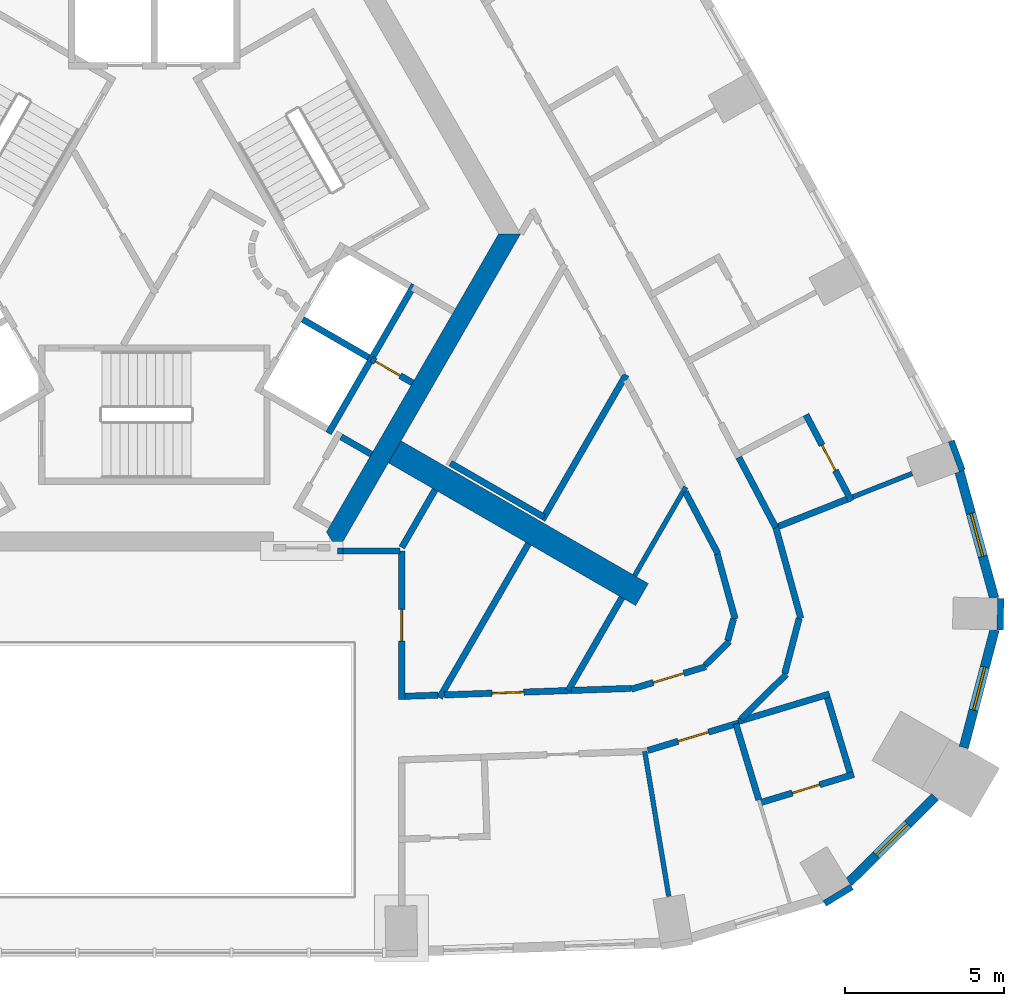
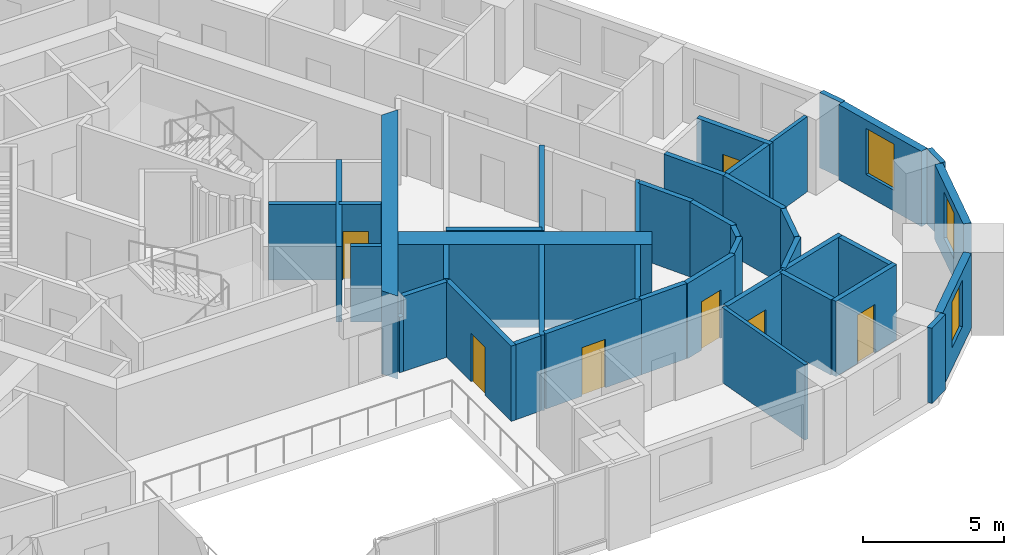
# One storey, part 7 of 12: 42 walls, 7 doors, 3 windows, 10 openings.
"""IFC4 building model written with IfcOpenShell, lengths in metres."""

from ifc_helpers import new_model, si_unit, direction, frame, frame_2d, origin, place, context, subcontext, project, spatial, polyline, rectangle, outline, extrude, material, layer, layer_set, type_object, element, fill, save


model = new_model("IFC4")

# Units and contexts
model_context = context("Model", 3, precision=1e-05, world=origin(), true_north=direction((0.0, 1.0)))
body_context = subcontext(model_context, "Body", "Model", "MODEL_VIEW")
ifc_project = project(units=[si_unit("LENGTHUNIT", "METRE"), si_unit("AREAUNIT", "SQUARE_METRE"), si_unit("VOLUMEUNIT", "CUBIC_METRE"), si_unit("PLANEANGLEUNIT", "RADIAN"), si_unit("MASSUNIT", "GRAM", prefix="KILO")], contexts=[model_context])

# Site, building, storey
site_placement = place(None, origin())
site = spatial("IfcSite", under=ifc_project, at=site_placement, CompositionType="ELEMENT")
building_placement = place(site_placement, origin())
building = spatial("IfcBuilding", under=site, at=building_placement, Name="Entoto Arch Interchange Tower", CompositionType="ELEMENT")
storey_placement = place(building_placement, frame((0.0, 0.0, 255.800048828125)))
storey = spatial("IfcBuildingStorey", under=building, at=storey_placement, Name="L58", CompositionType="ELEMENT", Elevation=255.800048828125)

# Walls
ifc_material_1 = material(Name="Concrete C40/50", Category="concrete")
ifc_layer_1 = layer(ifc_material_1, 0.800048828125)
ifc_layer_set_1 = layer_set([ifc_layer_1], Name="Concrete C40/50")
wall_type_1 = type_object("IfcWallType", Name="Buttress wall 800 C40/50", PredefinedType="SHEAR", material=ifc_layer_set_1)
wall_1_placement = place(storey_placement, frame((7.577880859375, -4.375, -0.340087890625), z_axis=(0.0, 0.0, 1.0), x_axis=(0.866024315419, -0.5000018851, 0.0)))
element("IfcWall", 1, at=wall_1_placement, inside=storey, type_object=wall_type_1, Name="Buttress wall SE L58", PredefinedType="SHEAR", context=body_context, shape_type="SweptSolid", body=[
    extrude(rectangle(XDim=9.0, YDim=0.800048828125, at=frame_2d((4.5, 0.0))), origin(), (0.0, 0.0, 1.0), 3.60009765625),
])
ifc_layer_2 = layer(ifc_material_1, 0.60009765625)
ifc_layer_set_2 = layer_set([ifc_layer_2], Name="Concrete C40/50")
wall_type_2 = type_object("IfcWallType", Name="Core wall 600 C40/50", PredefinedType="SHEAR", material=ifc_layer_set_2)
wall_2_placement = place(storey_placement, frame((0.0, 0.0, -0.340087890625)))
element("IfcWall", 2, at=wall_2_placement, inside=storey, type_object=wall_type_2, Name="Core wall SE L58", PredefinedType="SHEAR", context=body_context, shape_type="SweptSolid", body=[
    extrude(outline(polyline([(5.77392578125, -7.5), (11.547119140625, 2.5), (10.85400390625, 2.5), (5.427001953125, -6.89990234375), (5.77392578125, -7.5)])), origin(), (0.0, 0.0, 1.0), 3.60009765625),
])
ifc_layer_3 = layer(ifc_material_1, 0.199951171875)
ifc_layer_set_3 = layer_set([ifc_layer_3], Name="Concrete C40/50")
wall_type_3 = type_object("IfcWallType", Name="LIFT SHAFT WALL 200", PredefinedType="STANDARD", material=ifc_layer_set_3)
wall_3_placement = place(storey_placement, frame((5.491943359375, -3.7880859375, 0.0), z_axis=(0.0, 0.0, 1.0), x_axis=(0.500034260056, 0.866005622828, 0.0)))
element("IfcWall", 3, at=wall_3_placement, inside=storey, type_object=wall_type_3, Name="Shaft wall SE1 back", PredefinedType="STANDARD", context=body_context, shape_type="SweptSolid", body=[
    extrude(rectangle(XDim=5.3994140625, YDim=0.199951171875, at=frame_2d((2.69970703125, 0.0))), origin(), (0.0, 0.0, 1.0), 3.260009765625),
])
wall_4_placement = place(storey_placement, frame((4.677001953125, -0.199951171875, 0.0), z_axis=(0.0, 0.0, 1.0), x_axis=(0.865973769406, -0.500089422704, 0.0)))
element("IfcWall", 4, at=wall_4_placement, inside=storey, type_object=wall_type_3, Name="Shaft wall SE1 cross 2", PredefinedType="STANDARD", context=body_context, shape_type="SweptSolid", body=[
    extrude(rectangle(XDim=2.3994140625, YDim=0.199951171875, at=frame_2d((1.19970703125, 0.0))), origin(), (0.0, 0.0, 1.0), 3.260009765625),
])
ifc_material_2 = material(Name="Gypsum board partition on steel studs", Category="steel")
ifc_layer_4 = layer(ifc_material_2, 0.14990234375)
ifc_layer_set_4 = layer_set([ifc_layer_4], Name="Gypsum board partition on steel studs")
wall_type_4 = type_object("IfcWallType", Name="PARTITION 150", PredefinedType="PARTITIONING", material=ifc_layer_set_4)
wall_5_placement = place(storey_placement, frame((16.751953125, -5.485107421875, 0.0), z_axis=(0.0, 0.0, 1.0), x_axis=(-0.499988848364, -0.866031842089, 0.0)))
element("IfcWall", 5, at=wall_5_placement, inside=storey, type_object=wall_type_4, Name="wall:L58:p117", PredefinedType="PARTITIONING", context=body_context, shape_type="SweptSolid", body=[
    extrude(rectangle(XDim=3.22607421875, YDim=0.14990234375, at=frame_2d((1.613037109375, 0.0))), origin(), (0.0, 0.0, 1.0), 3.260009765625),
])
wall_6_placement = place(storey_placement, frame((15.458984375, -13.818115234375, 0.0), z_axis=(0.0, 0.0, 1.0), x_axis=(0.163441652939, -0.986553002167, 0.0)))
element("IfcWall", 6, at=wall_6_placement, inside=storey, type_object=wall_type_4, Name="wall:L58:p124", PredefinedType="PARTITIONING", context=body_context, shape_type="SweptSolid", body=[
    extrude(rectangle(XDim=4.632080078125, YDim=0.14990234375, at=frame_2d((2.31591796875, 0.0))), origin(), (0.0, 0.0, 1.0), 3.260009765625),
])
wall_7_placement = place(storey_placement, frame((22.02001953125, -5.7958984375, 0.0), z_axis=(0.0, 0.0, 1.0), x_axis=(0.929915172208, 0.367774078066, 0.0)))
element("IfcWall", 7, at=wall_7_placement, inside=storey, type_object=wall_type_4, Name="wall:L58:p130", PredefinedType="PARTITIONING", context=body_context, shape_type="SweptSolid", body=[
    extrude(rectangle(XDim=2.00341796875, YDim=0.14990234375, at=frame_2d((1.001708984375, 0.0))), origin(), (0.0, 0.0, 1.0), 3.260009765625),
])
ifc_layer_5 = layer(ifc_material_2, 0.199951171875)
ifc_layer_set_5 = layer_set([ifc_layer_5], Name="Gypsum board partition on steel studs")
wall_type_5 = type_object("IfcWallType", Name="PARTITION 200", PredefinedType="PARTITIONING", material=ifc_layer_set_5)
wall_8_placement = place(storey_placement, frame((7.89990234375, -12.0810546875, 0.0), z_axis=(0.0, 0.0, 1.0), x_axis=(0.999365240621, 0.035624652105, 0.0)))
element("IfcWall", 8, at=wall_8_placement, inside=storey, type_object=wall_type_5, Name="wall:L58:p014", PredefinedType="PARTITIONING", context=body_context, shape_type="SweptSolid", body=[
    extrude(rectangle(XDim=1.041748046875, YDim=0.199951171875, at=frame_2d((0.52099609375, 0.0))), origin(), (0.0, 0.0, 1.0), 3.260009765625),
])

# Wall, opening, door
wall_9_placement = place(storey_placement, frame((9.14111328125, -12.037109375, 0.0), z_axis=(0.0, 0.0, 1.0), x_axis=(0.999388955878, 0.034953038062, 0.0)))
wall_9 = element("IfcWall", 9, at=wall_9_placement, inside=storey, type_object=wall_type_5, Name="wall:L58:p016", PredefinedType="PARTITIONING", context=body_context, shape_type="SweptSolid", body=[
    extrude(rectangle(XDim=4.00927734375, YDim=0.199951171875, at=frame_2d((2.004638671875, 0.0))), origin(), (0.0, 0.0, 1.0), 3.260009765625),
])
opening_1_placement = place(wall_9_placement, frame((1.5048828125, 0.0, 0.0)))
opening_1 = element("IfcOpeningElement", 10, at=opening_1_placement, cuts=wall_9, Name="Opening L58-D35", PredefinedType="OPENING", context=body_context, shape_type="SweptSolid", body=[
    extrude(rectangle(XDim=1.0, YDim=2.10009765625, at=frame_2d((0.5, 1.050048828125))), frame((0.0, 0.10986328125, 0.0), z_axis=(0.0, -1.0, 0.0), x_axis=(1.0, 0.0, 0.0)), (0.0, 0.0, 1.0), 0.219970703125),
])
ifc_material_3 = material(Name="Timber door leaf in Steel S235 frame", Category="steel")
door_type_1 = type_object("IfcDoorType", Name="DOOR DS-10 1000x2100", OperationType="SINGLE_SWING_LEFT", PredefinedType="DOOR", material=ifc_material_3)
door_1_placement = place(opening_1_placement, origin())
door_1 = element("IfcDoor", 11, at=door_1_placement, inside=storey, type_object=door_type_1, Name="door:L58:35", OperationType="SINGLE_SWING_LEFT", OverallHeight=2.10009765625, OverallWidth=1.0, PredefinedType="DOOR", context=body_context, shape_type="SweptSolid", body=[
    extrude(rectangle(XDim=1.0, YDim=2.10009765625, at=frame_2d((0.5, 1.050048828125))), frame((0.0, 0.02490234375, 0.0), z_axis=(0.0, -1.0, 0.0), x_axis=(1.0, 0.0, 0.0)), (0.0, 0.0, 1.0), 0.050048828125),
])
fill(opening_1, door_1)

# Wall
wall_10_placement = place(storey_placement, frame((13.14794921875, -11.89697265625, 0.0), z_axis=(0.0, 0.0, 1.0), x_axis=(0.999405229262, 0.034484601243, 0.0)))
element("IfcWall", 12, at=wall_10_placement, inside=storey, type_object=wall_type_5, Name="wall:L58:p019", PredefinedType="PARTITIONING", context=body_context, shape_type="SweptSolid", body=[
    extrude(rectangle(XDim=1.88330078125, YDim=0.199951171875, at=frame_2d((0.941650390625, 0.0))), origin(), (0.0, 0.0, 1.0), 3.260009765625),
])

# Wall, opening, door
wall_11_placement = place(storey_placement, frame((15.033935546875, -11.85693359375, 0.0), z_axis=(0.0, 0.0, 1.0), x_axis=(0.957338084933, 0.288970225346, 0.0)))
wall_11 = element("IfcWall", 13, at=wall_11_placement, inside=storey, type_object=wall_type_5, Name="wall:L58:p020", PredefinedType="PARTITIONING", context=body_context, shape_type="SweptSolid", body=[
    extrude(rectangle(XDim=2.456787109375, YDim=0.199951171875, at=frame_2d((1.228515625, 0.0))), origin(), (0.0, 0.0, 1.0), 3.260009765625),
])
opening_2_placement = place(wall_11_placement, frame((0.72802734375, 0.0, 0.0)))
opening_2 = element("IfcOpeningElement", 14, at=opening_2_placement, cuts=wall_11, Name="Opening L58-D37", PredefinedType="OPENING", context=body_context, shape_type="SweptSolid", body=[
    extrude(rectangle(XDim=1.0, YDim=2.10009765625, at=frame_2d((0.5, 1.050048828125))), frame((0.0, 0.10986328125, 0.0), z_axis=(0.0, -1.0, 0.0), x_axis=(1.0, 0.0, 0.0)), (0.0, 0.0, 1.0), 0.219970703125),
])
door_2_placement = place(opening_2_placement, origin())
door_2 = element("IfcDoor", 15, at=door_2_placement, inside=storey, type_object=door_type_1, Name="door:L58:37", OperationType="SINGLE_SWING_LEFT", OverallHeight=2.10009765625, OverallWidth=1.0, PredefinedType="DOOR", context=body_context, shape_type="SweptSolid", body=[
    extrude(rectangle(XDim=1.0, YDim=2.10009765625, at=frame_2d((0.5, 1.050048828125))), frame((0.0, 0.02490234375, 0.0), z_axis=(0.0, -1.0, 0.0), x_axis=(1.0, 0.0, 0.0)), (0.0, 0.0, 1.0), 0.050048828125),
])
fill(opening_2, door_2)

# Walls
wall_12_placement = place(storey_placement, frame((17.362060546875, -11.10595703125, 0.0), z_axis=(0.0, 0.0, 1.0), x_axis=(0.710859741153, 0.703333795866, 0.0)))
element("IfcWall", 16, at=wall_12_placement, inside=storey, type_object=wall_type_5, Name="wall:L58:p021", PredefinedType="PARTITIONING", context=body_context, shape_type="SweptSolid", body=[
    extrude(rectangle(XDim=1.070556640625, YDim=0.199951171875, at=frame_2d((0.53515625, 0.0))), origin(), (0.0, 0.0, 1.0), 3.260009765625),
])
wall_13_placement = place(storey_placement, frame((18.076904296875, -10.325927734375, 0.0), z_axis=(0.0, 0.0, 1.0), x_axis=(0.254782174857, 0.966998471237, 0.0)))
element("IfcWall", 17, at=wall_13_placement, inside=storey, type_object=wall_type_5, Name="wall:L58:p022", PredefinedType="PARTITIONING", context=body_context, shape_type="SweptSolid", body=[
    extrude(rectangle(XDim=0.707275390625, YDim=0.199951171875, at=frame_2d((0.353515625, 0.0))), origin(), (0.0, 0.0, 1.0), 3.260009765625),
])
wall_14_placement = place(storey_placement, frame((18.30810546875, -9.64208984375, 0.0), z_axis=(0.0, 0.0, 1.0), x_axis=(-0.264859637197, 0.96428697626, 0.0)))
element("IfcWall", 18, at=wall_14_placement, inside=storey, type_object=wall_type_5, Name="wall:L58:p023", PredefinedType="PARTITIONING", context=body_context, shape_type="SweptSolid", body=[
    extrude(rectangle(XDim=2.121826171875, YDim=0.199951171875, at=frame_2d((1.06103515625, 0.0))), origin(), (0.0, 0.0, 1.0), 3.260009765625),
])
wall_15_placement = place(storey_placement, frame((17.76611328125, -7.587890625, 0.0), z_axis=(0.0, 0.0, 1.0), x_axis=(-0.466727344864, 0.884401258228, 0.0)))
element("IfcWall", 19, at=wall_15_placement, inside=storey, type_object=wall_type_5, Name="wall:L58:p024", PredefinedType="PARTITIONING", context=body_context, shape_type="SweptSolid", body=[
    extrude(rectangle(XDim=2.204833984375, YDim=0.199951171875, at=frame_2d((1.1025390625, 0.0))), origin(), (0.0, 0.0, 1.0), 3.260009765625),
])

# Wall, opening, door
wall_16_placement = place(storey_placement, frame((18.427001953125, -12.922119140625, 0.0), z_axis=(0.0, 0.0, 1.0), x_axis=(-0.957336631432, -0.288975040651, 0.0)))
wall_16 = element("IfcWall", 20, at=wall_16_placement, inside=storey, type_object=wall_type_5, Name="wall:L58:p038", PredefinedType="PARTITIONING", context=body_context, shape_type="SweptSolid", body=[
    extrude(rectangle(XDim=3.0, YDim=0.199951171875, at=frame_2d((1.5, 0.0))), origin(), (0.0, 0.0, 1.0), 3.260009765625),
])
opening_3_placement = place(wall_16_placement, frame((1.0, 0.0, 0.0)))
opening_3 = element("IfcOpeningElement", 21, at=opening_3_placement, cuts=wall_16, Name="Opening L58-D03", PredefinedType="OPENING", context=body_context, shape_type="SweptSolid", body=[
    extrude(rectangle(XDim=1.0, YDim=2.10009765625, at=frame_2d((0.5, 1.050048828125))), frame((0.0, 0.10986328125, 0.0), z_axis=(0.0, -1.0, 0.0), x_axis=(1.0, 0.0, 0.0)), (0.0, 0.0, 1.0), 0.219970703125),
])
ifc_material_4 = material(Name="Fire-rated Steel S235 door and frame", Category="steel")
door_type_2 = type_object("IfcDoorType", Name="DOOR FD-10 1000x2100", OperationType="SINGLE_SWING_LEFT", PredefinedType="DOOR", material=ifc_material_4)
door_3_placement = place(opening_3_placement, origin())
door_3 = element("IfcDoor", 22, at=door_3_placement, inside=storey, type_object=door_type_2, Name="door:L58:03", OperationType="SINGLE_SWING_LEFT", OverallHeight=2.10009765625, OverallWidth=1.0, PredefinedType="DOOR", context=body_context, shape_type="SweptSolid", body=[
    extrude(rectangle(XDim=1.0, YDim=2.10009765625, at=frame_2d((0.5, 1.050048828125))), frame((0.0, 0.02490234375, 0.0), z_axis=(0.0, -1.0, 0.0), x_axis=(1.0, 0.0, 0.0)), (0.0, 0.0, 1.0), 0.050048828125),
])
fill(opening_3, door_3)

# Walls
wall_17_placement = place(storey_placement, frame((19.56396484375, -6.662109375, 0.0), z_axis=(0.0, 0.0, 1.0), x_axis=(0.264876135597, -0.96428244451, 0.0)))
element("IfcWall", 23, at=wall_17_placement, inside=storey, type_object=wall_type_5, Name="wall:L58:p039", PredefinedType="PARTITIONING", context=body_context, shape_type="SweptSolid", body=[
    extrude(rectangle(XDim=3.07666015625, YDim=0.199951171875, at=frame_2d((1.538330078125, 0.0))), origin(), (0.0, 0.0, 1.0), 3.260009765625),
])
wall_18_placement = place(storey_placement, frame((20.326904296875, -9.62890625, 0.0), z_axis=(0.0, 0.0, 1.0), x_axis=(-0.253192482031, -0.967415922467, 0.0)))
element("IfcWall", 24, at=wall_18_placement, inside=storey, type_object=wall_type_5, Name="wall:L58:p040", PredefinedType="PARTITIONING", context=body_context, shape_type="SweptSolid", body=[
    extrude(rectangle(XDim=1.79248046875, YDim=0.199951171875, at=frame_2d((0.896240234375, 0.0))), origin(), (0.0, 0.0, 1.0), 3.260009765625),
])
wall_19_placement = place(storey_placement, frame((19.9189453125, -11.389892578125, 0.0), z_axis=(0.0, 0.0, 1.0), x_axis=(-0.71104667794, -0.70314480855, 0.0)))
element("IfcWall", 25, at=wall_19_placement, inside=storey, type_object=wall_type_5, Name="wall:L58:p041", PredefinedType="PARTITIONING", context=body_context, shape_type="SweptSolid", body=[
    extrude(rectangle(XDim=2.00830078125, YDim=0.199951171875, at=frame_2d((1.004150390625, 0.0))), origin(), (0.0, 0.0, 1.0), 3.260009765625),
])
wall_20_placement = place(storey_placement, frame((18.423095703125, -4.548095703125, 0.0), z_axis=(0.0, 0.0, 1.0), x_axis=(0.466792565793, -0.884366835946, 0.0)))
element("IfcWall", 26, at=wall_20_placement, inside=storey, type_object=wall_type_5, Name="wall:L58:p043", PredefinedType="PARTITIONING", context=body_context, shape_type="SweptSolid", body=[
    extrude(rectangle(XDim=2.5, YDim=0.199951171875, at=frame_2d((1.25, 0.0))), origin(), (0.0, 0.0, 1.0), 3.260009765625),
])
wall_21_placement = place(storey_placement, frame((5.887939453125, -3.902099609375, 0.0), z_axis=(0.0, 0.0, 1.0), x_axis=(0.86621513555, -0.499671230855, 0.0)))
element("IfcWall", 27, at=wall_21_placement, inside=storey, type_object=wall_type_5, Name="wall:L58:p080", PredefinedType="PARTITIONING", context=body_context, shape_type="SweptSolid", body=[
    extrude(rectangle(XDim=1.100341796875, YDim=0.199951171875, at=frame_2d((0.55029296875, 0.0))), origin(), (0.0, 0.0, 1.0), 3.260009765625),
])

# Wall, opening, door
wall_22_placement = place(storey_placement, frame((8.139892578125, -2.199951171875, 0.0), z_axis=(0.0, 0.0, 1.0), x_axis=(-0.865545166185, 0.500830874941, 0.0)))
wall_22 = element("IfcWall", 28, at=wall_22_placement, inside=storey, type_object=wall_type_5, Name="wall:L58:p081", PredefinedType="PARTITIONING", context=body_context, shape_type="SweptSolid", body=[
    extrude(rectangle(XDim=1.49951171875, YDim=0.199951171875, at=frame_2d((0.749755859375, 0.0))), origin(), (0.0, 0.0, 1.0), 3.260009765625),
])
opening_4_placement = place(wall_22_placement, frame((0.449951171875, 0.0, 0.0)))
opening_4 = element("IfcOpeningElement", 29, at=opening_4_placement, cuts=wall_22, Name="Opening L58-D51", PredefinedType="OPENING", context=body_context, shape_type="SweptSolid", body=[
    extrude(rectangle(XDim=0.89990234375, YDim=2.10009765625, at=frame_2d((0.449951171875, 1.050048828125))), frame((0.0, 0.10986328125, 0.0), z_axis=(0.0, -1.0, 0.0), x_axis=(1.0, 0.0, 0.0)), (0.0, 0.0, 1.0), 0.219970703125),
])
door_type_3 = type_object("IfcDoorType", Name="DOOR DS-09 900x2100", OperationType="SINGLE_SWING_LEFT", PredefinedType="DOOR", material=ifc_material_3)
door_4_placement = place(opening_4_placement, origin())
door_4 = element("IfcDoor", 30, at=door_4_placement, inside=storey, type_object=door_type_3, Name="door:L58:51", OperationType="SINGLE_SWING_LEFT", OverallHeight=2.10009765625, OverallWidth=0.89990234375, PredefinedType="DOOR", context=body_context, shape_type="SweptSolid", body=[
    extrude(rectangle(XDim=0.89990234375, YDim=2.10009765625, at=frame_2d((0.449951171875, 1.050048828125))), frame((0.0, 0.02490234375, 0.0), z_axis=(0.0, -1.0, 0.0), x_axis=(1.0, 0.0, 0.0)), (0.0, 0.0, 1.0), 0.050048828125),
])
fill(opening_4, door_4)

# Walls
wall_23_placement = place(storey_placement, frame((5.77490234375, -7.4990234375, 0.0), z_axis=(0.0, 0.0, 1.0), x_axis=(1.0, 0.0, 0.0)))
element("IfcWall", 31, at=wall_23_placement, inside=storey, type_object=wall_type_5, Name="wall:L58:p090", PredefinedType="PARTITIONING", context=body_context, shape_type="SweptSolid", body=[
    extrude(rectangle(XDim=0.169189453125, YDim=0.199951171875, at=frame_2d((0.08447265625, 0.0))), origin(), (0.0, 0.0, 1.0), 2.39990234375),
])
wall_24_placement = place(storey_placement, frame((7.800048828125, -7.389892578125, 0.0), z_axis=(0.0, 0.0, 1.0), x_axis=(0.499977374825, 0.866038466041, 0.0)))
element("IfcWall", 32, at=wall_24_placement, inside=storey, type_object=wall_type_5, Name="wall:L58:p091", PredefinedType="PARTITIONING", context=body_context, shape_type="SweptSolid", body=[
    extrude(rectangle(XDim=2.10009765625, YDim=0.199951171875, at=frame_2d((1.050048828125, 0.0))), origin(), (0.0, 0.0, 1.0), 3.260009765625),
])

# Wall, opening, door
wall_25_placement = place(storey_placement, frame((7.800048828125, -7.4990234375, 0.0), z_axis=(0.0, 0.0, 1.0), x_axis=(0.0, -1.0, 0.0)))
wall_25 = element("IfcWall", 33, at=wall_25_placement, inside=storey, type_object=wall_type_5, Name="wall:L58:p105", PredefinedType="PARTITIONING", context=body_context, shape_type="SweptSolid", body=[
    extrude(rectangle(XDim=4.68505859375, YDim=0.199951171875, at=frame_2d((2.342529296875, 0.0))), origin(), (0.0, 0.0, 1.0), 3.260009765625),
])
opening_5_placement = place(wall_25_placement, frame((1.842041015625, 0.0, 0.0)))
opening_5 = element("IfcOpeningElement", 34, at=opening_5_placement, cuts=wall_25, Name="Opening L58-D33", PredefinedType="OPENING", context=body_context, shape_type="SweptSolid", body=[
    extrude(rectangle(XDim=1.0, YDim=2.10009765625, at=frame_2d((0.5, 1.050048828125))), frame((0.0, 0.10986328125, 0.0), z_axis=(0.0, -1.0, 0.0), x_axis=(1.0, 0.0, 0.0)), (0.0, 0.0, 1.0), 0.219970703125),
])
door_5_placement = place(opening_5_placement, origin())
door_5 = element("IfcDoor", 35, at=door_5_placement, inside=storey, type_object=door_type_1, Name="door:L58:33", OperationType="SINGLE_SWING_LEFT", OverallHeight=2.10009765625, OverallWidth=1.0, PredefinedType="DOOR", context=body_context, shape_type="SweptSolid", body=[
    extrude(rectangle(XDim=1.0, YDim=2.10009765625, at=frame_2d((0.5, 1.050048828125))), frame((0.0, 0.02490234375, 0.0), z_axis=(0.0, -1.0, 0.0), x_axis=(1.0, 0.0, 0.0)), (0.0, 0.0, 1.0), 0.050048828125),
])
fill(opening_5, door_5)

# Walls
wall_26_placement = place(storey_placement, frame((9.3349609375, -4.73193359375, 0.0), z_axis=(0.0, 0.0, 1.0), x_axis=(0.866002606077, -0.500039484709, 0.0)))
element("IfcWall", 36, at=wall_26_placement, inside=storey, type_object=wall_type_5, Name="wall:L58:p111", PredefinedType="PARTITIONING", context=body_context, shape_type="SweptSolid", body=[
    extrude(rectangle(XDim=3.399658203125, YDim=0.199951171875, at=frame_2d((1.69970703125, 0.0))), origin(), (0.0, 0.0, 1.0), 3.260009765625),
])
wall_27_placement = place(storey_placement, frame((11.7939453125, -7.27099609375, 0.0), z_axis=(0.0, 0.0, 1.0), x_axis=(-0.499918457185, -0.866072477433, 0.0)))
element("IfcWall", 37, at=wall_27_placement, inside=storey, type_object=wall_type_5, Name="wall:L58:p112", PredefinedType="PARTITIONING", context=body_context, shape_type="SweptSolid", body=[
    extrude(rectangle(XDim=5.60693359375, YDim=0.199951171875, at=frame_2d((2.803466796875, 0.0))), origin(), (0.0, 0.0, 1.0), 3.260009765625),
])
wall_28_placement = place(storey_placement, frame((14.87109375, -1.94189453125, 0.0), z_axis=(0.0, 0.0, 1.0), x_axis=(-0.50000507839, -0.866022471755, 0.0)))
element("IfcWall", 38, at=wall_28_placement, inside=storey, type_object=wall_type_5, Name="wall:L58:p114", PredefinedType="PARTITIONING", context=body_context, shape_type="SweptSolid", body=[
    extrude(rectangle(XDim=5.2841796875, YDim=0.199951171875, at=frame_2d((2.64208984375, 0.0))), origin(), (0.0, 0.0, 1.0), 3.260009765625),
])
wall_29_placement = place(storey_placement, frame((14.739013671875, -8.971923828125, 0.0), z_axis=(0.0, 0.0, 1.0), x_axis=(-0.499974489635, -0.8660401317, 0.0)))
element("IfcWall", 39, at=wall_29_placement, inside=storey, type_object=wall_type_5, Name="wall:L58:p116", PredefinedType="PARTITIONING", context=body_context, shape_type="SweptSolid", body=[
    extrude(rectangle(XDim=3.382080078125, YDim=0.199951171875, at=frame_2d((1.69091796875, 0.0))), origin(), (0.0, 0.0, 1.0), 3.260009765625),
])
wall_30_placement = place(storey_placement, frame((18.3310546875, -12.950927734375, 0.0), z_axis=(0.0, 0.0, 1.0), x_axis=(0.289175152117, -0.957276204341, 0.0)))
element("IfcWall", 40, at=wall_30_placement, inside=storey, type_object=wall_type_5, Name="wall:L58:p126", PredefinedType="PARTITIONING", context=body_context, shape_type="SweptSolid", body=[
    extrude(rectangle(XDim=2.499755859375, YDim=0.199951171875, at=frame_2d((1.25, 0.0))), origin(), (0.0, 0.0, 1.0), 3.260009765625),
])

# Wall, opening, door
wall_31_placement = place(storey_placement, frame((19.034912109375, -15.455078125, 0.0), z_axis=(0.0, 0.0, 1.0), x_axis=(0.957248369253, 0.28926728049, 0.0)))
wall_31 = element("IfcWall", 41, at=wall_31_placement, inside=storey, type_object=wall_type_5, Name="wall:L58:p127", PredefinedType="PARTITIONING", context=body_context, shape_type="SweptSolid", body=[
    extrude(rectangle(XDim=3.14990234375, YDim=0.199951171875, at=frame_2d((1.574951171875, 0.0))), origin(), (0.0, 0.0, 1.0), 3.260009765625),
])
opening_6_placement = place(wall_31_placement, frame((1.125, 0.0, 0.0)))
opening_6 = element("IfcOpeningElement", 42, at=opening_6_placement, cuts=wall_31, Name="Opening L58-D05", PredefinedType="OPENING", context=body_context, shape_type="SweptSolid", body=[
    extrude(rectangle(XDim=0.89990234375, YDim=2.10009765625, at=frame_2d((0.449951171875, 1.050048828125))), frame((0.0, 0.10986328125, 0.0), z_axis=(0.0, -1.0, 0.0), x_axis=(1.0, 0.0, 0.0)), (0.0, 0.0, 1.0), 0.219970703125),
])
door_6_placement = place(opening_6_placement, origin())
door_6 = element("IfcDoor", 43, at=door_6_placement, inside=storey, type_object=door_type_3, Name="door:L58:05", OperationType="SINGLE_SWING_LEFT", OverallHeight=2.10009765625, OverallWidth=0.89990234375, PredefinedType="DOOR", context=body_context, shape_type="SweptSolid", body=[
    extrude(rectangle(XDim=0.89990234375, YDim=2.10009765625, at=frame_2d((0.449951171875, 1.050048828125))), frame((0.0, 0.02490234375, 0.0), z_axis=(0.0, -1.0, 0.0), x_axis=(1.0, 0.0, 0.0)), (0.0, 0.0, 1.0), 0.050048828125),
])
fill(opening_6, door_6)

# Walls
wall_32_placement = place(storey_placement, frame((21.926025390625, -14.47802734375, 0.0), z_axis=(0.0, 0.0, 1.0), x_axis=(-0.288928787246, 0.957350591947, 0.0)))
element("IfcWall", 44, at=wall_32_placement, inside=storey, type_object=wall_type_5, Name="wall:L58:p128", PredefinedType="PARTITIONING", context=body_context, shape_type="SweptSolid", body=[
    extrude(rectangle(XDim=2.450439453125, YDim=0.199951171875, at=frame_2d((1.22509765625, 0.0))), origin(), (0.0, 0.0, 1.0), 3.260009765625),
])
wall_33_placement = place(storey_placement, frame((21.284912109375, -12.007080078125, 0.0), z_axis=(0.0, 0.0, 1.0), x_axis=(-0.957329834998, -0.288997555392, 0.0)))
element("IfcWall", 45, at=wall_33_placement, inside=storey, type_object=wall_type_5, Name="wall:L58:p129", PredefinedType="PARTITIONING", context=body_context, shape_type="SweptSolid", body=[
    extrude(rectangle(XDim=2.999755859375, YDim=0.199951171875, at=frame_2d((1.5, 0.0))), origin(), (0.0, 0.0, 1.0), 3.260009765625),
])
wall_34_placement = place(storey_placement, frame((19.68310546875, -6.721923828125, 0.0), z_axis=(0.0, 0.0, 1.0), x_axis=(0.929744903847, 0.368204309821, 0.0)))
element("IfcWall", 46, at=wall_34_placement, inside=storey, type_object=wall_type_5, Name="wall:L58:p131", PredefinedType="PARTITIONING", context=body_context, shape_type="SweptSolid", body=[
    extrude(rectangle(XDim=2.3134765625, YDim=0.199951171875, at=frame_2d((1.15673828125, 0.0))), origin(), (0.0, 0.0, 1.0), 3.260009765625),
])

# Wall, opening, door
wall_35_placement = place(storey_placement, frame((21.97412109375, -5.922119140625, 0.0), z_axis=(0.0, 0.0, 1.0), x_axis=(-0.466401249432, 0.88457327256, 0.0)))
wall_35 = element("IfcWall", 47, at=wall_35_placement, inside=storey, type_object=wall_type_5, Name="wall:L58:p132", PredefinedType="PARTITIONING", context=body_context, shape_type="SweptSolid", body=[
    extrude(rectangle(XDim=3.07275390625, YDim=0.199951171875, at=frame_2d((1.536376953125, 0.0))), origin(), (0.0, 0.0, 1.0), 3.260009765625),
])
opening_7_placement = place(wall_35_placement, frame((1.0859375, 0.0, 0.0)))
opening_7 = element("IfcOpeningElement", 48, at=opening_7_placement, cuts=wall_35, Name="Opening L58-D07", PredefinedType="OPENING", context=body_context, shape_type="SweptSolid", body=[
    extrude(rectangle(XDim=0.89990234375, YDim=2.10009765625, at=frame_2d((0.449951171875, 1.050048828125))), frame((0.0, 0.10986328125, 0.0), z_axis=(0.0, -1.0, 0.0), x_axis=(1.0, 0.0, 0.0)), (0.0, 0.0, 1.0), 0.219970703125),
])
door_7_placement = place(opening_7_placement, origin())
door_7 = element("IfcDoor", 49, at=door_7_placement, inside=storey, type_object=door_type_3, Name="door:L58:07", OperationType="SINGLE_SWING_RIGHT", OverallHeight=2.10009765625, OverallWidth=0.89990234375, PredefinedType="DOOR", context=body_context, shape_type="SweptSolid", body=[
    extrude(rectangle(XDim=0.89990234375, YDim=2.10009765625, at=frame_2d((0.449951171875, 1.050048828125))), frame((0.0, 0.02490234375, 0.0), z_axis=(0.0, -1.0, 0.0), x_axis=(1.0, 0.0, 0.0)), (0.0, 0.0, 1.0), 0.050048828125),
])
fill(opening_7, door_7)

# Wall
wall_36_placement = place(storey_placement, frame((5.944091796875, -7.4990234375, 0.0), z_axis=(0.0, 0.0, 1.0), x_axis=(1.0, 0.0, 0.0)))
element("IfcWall", 50, at=wall_36_placement, inside=storey, type_object=wall_type_5, Name="wall:L58:p090", PredefinedType="PARTITIONING", context=body_context, shape_type="SweptSolid", body=[
    extrude(rectangle(XDim=1.79296875, YDim=0.199951171875, at=frame_2d((0.896484375, 0.0))), origin(), (0.0, 0.0, 1.0), 3.260009765625),
])

# Wall, opening, window
ifc_material_5 = material(Name="Welded tuff (ignimbrite) cladding, warm buff", Category="masonry")
ifc_layer_6 = layer(ifc_material_5, 0.300048828125)
ifc_layer_set_6 = layer_set([ifc_layer_6], Name="Welded tuff (ignimbrite) cladding, warm buff")
wall_type_6 = type_object("IfcWallType", Name="STONE INFILL WALL 300", PredefinedType="STANDARD", material=ifc_layer_set_6)
wall_37_placement = place(storey_placement, frame((21.89306640625, -17.946044921875, 0.0), z_axis=(0.0, 0.0, 1.0), x_axis=(0.71110935557, 0.703081420904, 0.0)))
wall_37 = element("IfcWall", 51, at=wall_37_placement, inside=storey, type_object=wall_type_6, Name="Facade wall SE-02 L58", PredefinedType="STANDARD", context=body_context, shape_type="SweptSolid", body=[
    extrude(rectangle(XDim=3.831787109375, YDim=0.300048828125, at=frame_2d((1.916015625, 0.0))), origin(), (0.0, 0.0, 1.0), 3.260009765625),
])
opening_8_placement = place(wall_37_placement, frame((1.216064453125, 0.0, 0.89990234375)))
opening_8 = element("IfcOpeningElement", 52, at=opening_8_placement, cuts=wall_37, Name="Opening WH-B", PredefinedType="OPENING", context=body_context, shape_type="SweptSolid", body=[
    extrude(rectangle(XDim=1.39990234375, YDim=2.0, at=frame_2d((0.699951171875, 1.0))), frame((0.0, 0.16015625, 0.0), z_axis=(0.0, -1.0, 0.0), x_axis=(1.0, 0.0, 0.0)), (0.0, 0.0, 1.0), 0.320068359375),
])
ifc_material_6 = material(Name="Clear glass, low-e double glazed", Category="glass")
window_type = type_object("IfcWindowType", Name="WINDOW WH-B 1400x2000", PartitioningType="DOUBLE_PANEL_VERTICAL", PredefinedType="WINDOW", material=ifc_material_6)
window_1_placement = place(opening_8_placement, origin())
window_1 = element("IfcWindow", 53, at=window_1_placement, inside=storey, type_object=window_type, Name="Window WH-B SE-02 L58", OverallHeight=2.0, OverallWidth=1.39990234375, PartitioningType="SINGLE_PANEL", PredefinedType="WINDOW", context=body_context, shape_type="SweptSolid", body=[
    extrude(rectangle(XDim=1.39990234375, YDim=2.0, at=frame_2d((0.699951171875, 1.0))), frame((0.0, 0.030029296875, 0.0), z_axis=(0.0, -1.0, 0.0), x_axis=(1.0, 0.0, 0.0)), (0.0, 0.0, 1.0), 0.06005859375),
])
fill(opening_8, window_1)

wall_38_placement = place(storey_placement, frame((25.51708984375, -13.695068359375, 0.0), z_axis=(0.0, 0.0, 1.0), x_axis=(0.253248721632, 0.967401201669, 0.0)))
wall_38 = element("IfcWall", 54, at=wall_38_placement, inside=storey, type_object=wall_type_6, Name="Facade wall SE-03 L58", PredefinedType="STANDARD", context=body_context, shape_type="SweptSolid", body=[
    extrude(rectangle(XDim=3.833984375, YDim=0.300048828125, at=frame_2d((1.9169921875, 0.0))), origin(), (0.0, 0.0, 1.0), 3.260009765625),
])
opening_9_placement = place(wall_38_placement, frame((1.217041015625, 0.0, 0.89990234375)))
opening_9 = element("IfcOpeningElement", 55, at=opening_9_placement, cuts=wall_38, Name="Opening WH-B", PredefinedType="OPENING", context=body_context, shape_type="SweptSolid", body=[
    extrude(rectangle(XDim=1.39990234375, YDim=2.0, at=frame_2d((0.699951171875, 1.0))), frame((0.0, 0.16015625, 0.0), z_axis=(0.0, -1.0, 0.0), x_axis=(1.0, 0.0, 0.0)), (0.0, 0.0, 1.0), 0.320068359375),
])
window_2_placement = place(opening_9_placement, origin())
window_2 = element("IfcWindow", 56, at=window_2_placement, inside=storey, type_object=window_type, Name="Window WH-B SE-03 L58", OverallHeight=2.0, OverallWidth=1.39990234375, PartitioningType="SINGLE_PANEL", PredefinedType="WINDOW", context=body_context, shape_type="SweptSolid", body=[
    extrude(rectangle(XDim=1.39990234375, YDim=2.0, at=frame_2d((0.699951171875, 1.0))), frame((0.0, 0.030029296875, 0.0), z_axis=(0.0, -1.0, 0.0), x_axis=(1.0, 0.0, 0.0)), (0.0, 0.0, 1.0), 0.06005859375),
])
fill(opening_9, window_2)

wall_39_placement = place(storey_placement, frame((26.47705078125, -8.987060546875, 0.0), z_axis=(0.0, 0.0, 1.0), x_axis=(-0.264924661919, 0.964269113633, 0.0)))
wall_39 = element("IfcWall", 57, at=wall_39_placement, inside=storey, type_object=wall_type_6, Name="Facade wall SE-04 L58", PredefinedType="STANDARD", context=body_context, shape_type="SweptSolid", body=[
    extrude(rectangle(XDim=4.13671875, YDim=0.300048828125, at=frame_2d((2.068359375, 0.0))), origin(), (0.0, 0.0, 1.0), 3.260009765625),
])
opening_10_placement = place(wall_39_placement, frame((1.367919921875, 0.0, 0.89990234375)))
opening_10 = element("IfcOpeningElement", 58, at=opening_10_placement, cuts=wall_39, Name="Opening WH-B", PredefinedType="OPENING", context=body_context, shape_type="SweptSolid", body=[
    extrude(rectangle(XDim=1.39990234375, YDim=2.0, at=frame_2d((0.699951171875, 1.0))), frame((0.0, 0.16015625, 0.0), z_axis=(0.0, -1.0, 0.0), x_axis=(1.0, 0.0, 0.0)), (0.0, 0.0, 1.0), 0.320068359375),
])
window_3_placement = place(opening_10_placement, origin())
window_3 = element("IfcWindow", 59, at=window_3_placement, inside=storey, type_object=window_type, Name="Window WH-B SE-04 L58", OverallHeight=2.0, OverallWidth=1.39990234375, PartitioningType="SINGLE_PANEL", PredefinedType="WINDOW", context=body_context, shape_type="SweptSolid", body=[
    extrude(rectangle(XDim=1.39990234375, YDim=2.0, at=frame_2d((0.699951171875, 1.0))), frame((0.0, 0.030029296875, 0.0), z_axis=(0.0, -1.0, 0.0), x_axis=(1.0, 0.0, 0.0)), (0.0, 0.0, 1.0), 0.06005859375),
])
fill(opening_10, window_3)

# Walls
ifc_layer_7 = layer(ifc_material_5, 0.199951171875)
ifc_layer_set_7 = layer_set([ifc_layer_7], Name="Welded tuff (ignimbrite) cladding, warm buff")
wall_type_7 = type_object("IfcWallType", Name="STONE PIER CLADDING 200", PredefinedType="STANDARD", material=ifc_layer_set_7)
wall_40_placement = place(storey_placement, frame((25.468994140625, -4.967041015625, 0.0), z_axis=(0.0, 0.0, 1.0), x_axis=(-0.346892928577, 0.937904737222, 0.0)))
element("IfcWall", 60, at=wall_40_placement, inside=storey, type_object=wall_type_7, Name="Stone pier NE01 L58", PredefinedType="STANDARD", context=body_context, shape_type="SweptSolid", body=[
    extrude(rectangle(XDim=1.0, YDim=0.199951171875, at=frame_2d((0.5, 0.0))), origin(), (0.0, 0.0, 1.0), 3.260009765625),
])
wall_41_placement = place(storey_placement, frame((21.1298828125, -18.613037109375, 0.0), z_axis=(0.0, 0.0, 1.0), x_axis=(0.853679739553, 0.520798331677, 0.0)))
element("IfcWall", 61, at=wall_41_placement, inside=storey, type_object=wall_type_7, Name="Stone pier SE1 L58", PredefinedType="STANDARD", context=body_context, shape_type="SweptSolid", body=[
    extrude(rectangle(XDim=1.00048828125, YDim=0.199951171875, at=frame_2d((0.500244140625, 0.0))), origin(), (0.0, 0.0, 1.0), 3.260009765625),
])
wall_42_placement = place(storey_placement, frame((26.659912109375, -9.990966796875, 0.0), z_axis=(0.0, 0.0, 1.0), x_axis=(0.024186470916, 0.999707464524, 0.0)))
element("IfcWall", 62, at=wall_42_placement, inside=storey, type_object=wall_type_7, Name="Stone pier SE3 L58", PredefinedType="STANDARD", context=body_context, shape_type="SweptSolid", body=[
    extrude(rectangle(XDim=0.999267578125, YDim=0.199951171875, at=frame_2d((0.49951171875, 0.0))), origin(), (0.0, 0.0, 1.0), 3.260009765625),
])

save(model, "model.ifc")
